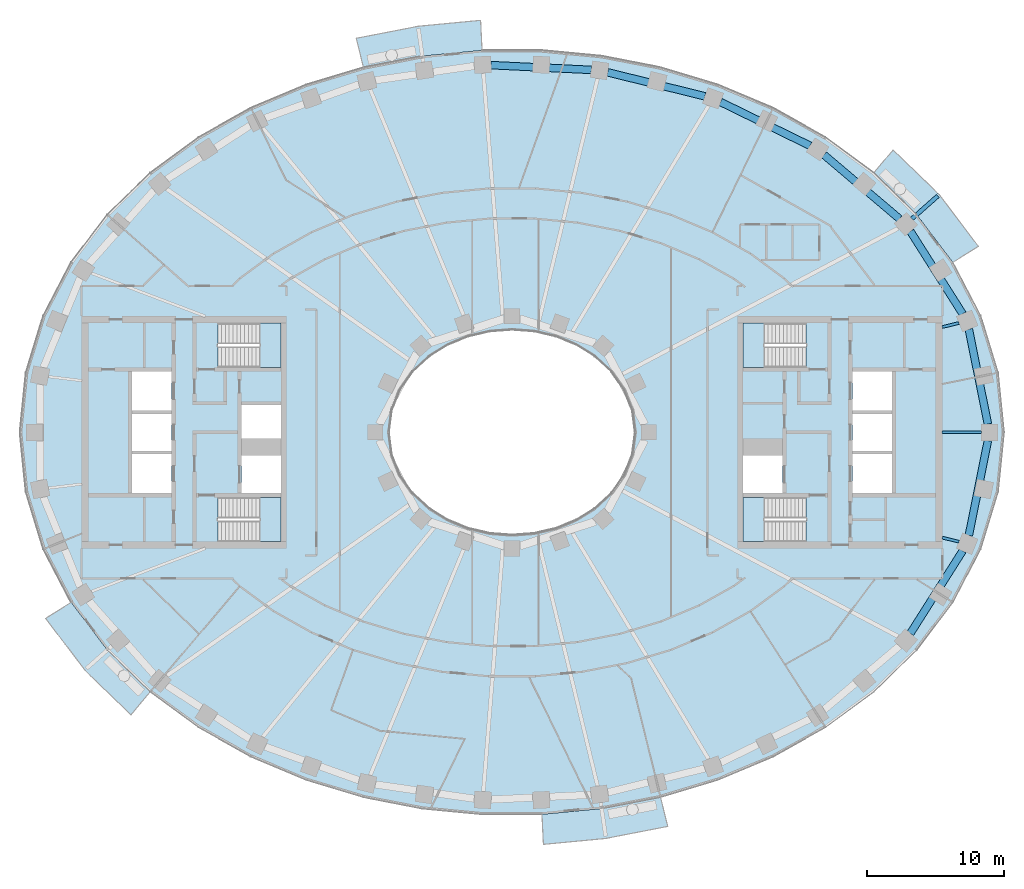
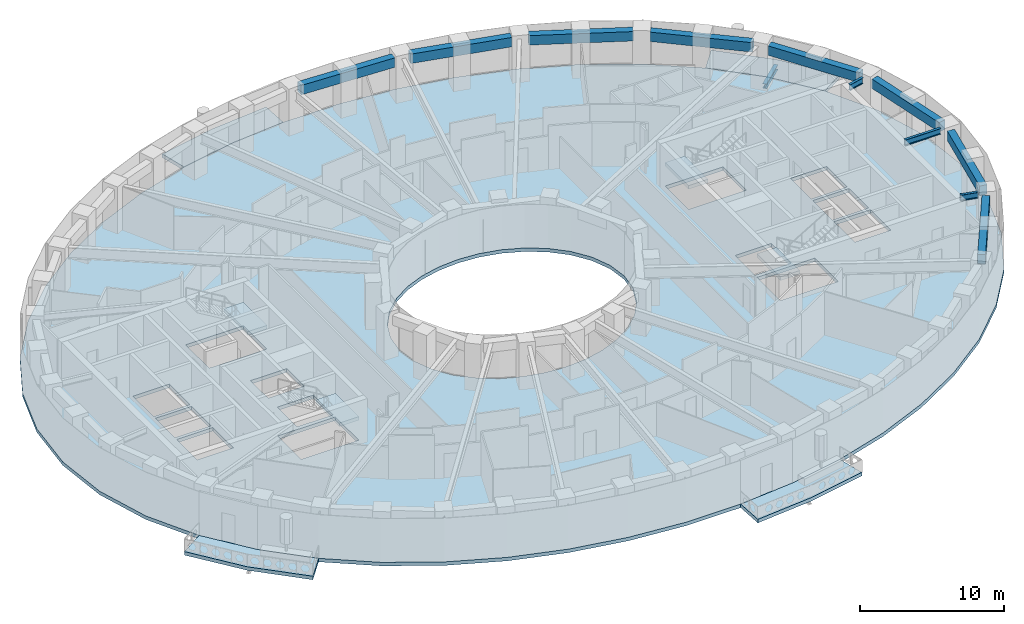
# One storey, part 2 of 17: 12 beams, 9 slabs, 4 elements without a shape of their own.
"""IFC4 building model written with IfcOpenShell, lengths in metres."""

from ifc_helpers import new_model, si_unit, direction, frame, origin, origin_2d, place, context, subcontext, project, spatial, polyline, rectangle, i_section, outline, extrude, material, layer, layer_set, material_profile, profile_set, type_object, element, aggregate, save


model = new_model("IFC4")

# Units and contexts
model_context = context("Model", 3, precision=1e-05, world=origin(), true_north=direction((0.0, 1.0)))
body_context = subcontext(model_context, "Body", "Model", "MODEL_VIEW")
ifc_project = project(units=[si_unit("LENGTHUNIT", "METRE"), si_unit("AREAUNIT", "SQUARE_METRE"), si_unit("VOLUMEUNIT", "CUBIC_METRE"), si_unit("PLANEANGLEUNIT", "RADIAN"), si_unit("MASSUNIT", "GRAM", prefix="KILO")], contexts=[model_context])

# Site, building, storey
site_placement = place(None, origin())
site = spatial("IfcSite", under=ifc_project, at=site_placement, CompositionType="ELEMENT")
building_placement = place(site_placement, origin())
building = spatial("IfcBuilding", under=site, at=building_placement, Name="Noorbagh Ring Tower", CompositionType="ELEMENT")
storey_placement = place(building_placement, frame((0.0, 0.0, 120.0)))
storey = spatial("IfcBuildingStorey", under=building, at=storey_placement, Name="L27", CompositionType="ELEMENT", Elevation=120.0)

# Beams
ifc_material_1 = material(Name="Steel S355", Category="steel")
ifc_material_profile_1 = material_profile(ifc_material_1, i_section(OverallWidth=0.300048828125, OverallDepth=0.39990234375, WebThickness=0.013427734375, FlangeThickness=0.02392578125, FilletRadius=0.027099609375, at=origin_2d()), Name="HEB400")
ifc_profile_set_1 = profile_set([ifc_material_profile_1], Name="Steel S355")
beam_type_1 = type_object("IfcBeamType", Name="STR-BALCONY-BRACKET-HEB400", PredefinedType="BEAM", material=ifc_profile_set_1)
beam_1_placement = place(storey_placement, frame((29.27197265625, 15.63134765625, -0.5), z_axis=(0.749063543205, 0.662498157161, 0.0), x_axis=(-0.662498157161, 0.749063543205, 0.0)))
element("IfcBeam", 1, at=beam_1_placement, inside=storey, type_object=beam_type_1, Name="Balcony bracket beam BN01", PredefinedType="BEAM", context=body_context, shape_type="SweptSolid", body=[
    extrude(i_section(OverallWidth=0.300048828125, OverallDepth=0.39990234375, WebThickness=0.013427734375, FlangeThickness=0.02392578125, FilletRadius=0.027099609375, at=origin_2d()), origin(), (0.0, 0.0, 1.0), 2.50439453125),
])
ifc_material_2 = material(Name="Steel S355", Category="steel")
ifc_material_profile_2 = material_profile(ifc_material_2, i_section(OverallWidth=0.199951171875, OverallDepth=0.5, WebThickness=0.01025390625, FlangeThickness=0.01611328125, FilletRadius=0.02099609375, at=origin_2d()), Name="IPE500")
ifc_profile_set_2 = profile_set([ifc_material_profile_2], Name="Steel S355")
beam_type_2 = type_object("IfcBeamType", Name="STR-RAD-IPE500", PredefinedType="BEAM", material=ifc_profile_set_2)
beam_2_placement = place(storey_placement, frame((34.339599609375, 0.0, 3.449951171875), z_axis=(-1.0, 0.0, 0.0), x_axis=(0.0, -1.0, 0.0)))
element("IfcBeam", 2, at=beam_2_placement, inside=storey, type_object=beam_type_2, Name="L27/bm/RD01", PredefinedType="BEAM", context=body_context, shape_type="SweptSolid", body=[
    extrude(i_section(OverallWidth=0.199951171875, OverallDepth=0.5, WebThickness=0.01025390625, FlangeThickness=0.01611328125, FilletRadius=0.02099609375, at=origin_2d()), origin(), (0.0, 0.0, 1.0), 2.859619140625),
])
for number, where, z_axis, x_axis, name in (
    (3, (32.710693359375, 8.00390625, 3.449951171875), (-0.971343647719, -0.237679443865, 0.0), (0.237679443865, -0.971343647719, 0.0), "L27/bm/RD03"),
    (4, (32.710693359375, -8.00390625, 3.449951171875), (-0.971343647719, 0.237679443865, 0.0), (-0.237679443865, -0.971343647719, 0.0), "L27/bm/RD45"),
):
    element("IfcBeam", number, at=place(storey_placement, frame(where, z_axis=z_axis, x_axis=x_axis)), inside=storey, type_object=beam_type_2, Name=name, PredefinedType="BEAM", context=body_context, shape_type="SweptSolid", body=[
        extrude(i_section(OverallWidth=0.199951171875, OverallDepth=0.5, WebThickness=0.01025390625, FlangeThickness=0.01611328125, FilletRadius=0.02099609375, at=origin_2d()), origin(), (0.0, 0.0, 1.0), 1.2666015625),
    ])
ifc_material_3 = material(Name="Concrete C40/50", Category="concrete")
ifc_material_profile_3 = material_profile(ifc_material_3, rectangle(XDim=0.550048828125, YDim=0.800048828125, at=origin_2d()), Name="RC550x800")
ifc_profile_set_3 = profile_set([ifc_material_profile_3], Name="Concrete C40/50")
beam_type_3 = type_object("IfcBeamType", Name="STR-SB-RC550x800-C40-50", PredefinedType="BEAM", material=ifc_profile_set_3)
beam_3_placement = place(storey_placement, frame((34.822998046875, 0.60546875, 3.300048828125), z_axis=(-0.197250205232, 0.98035317949, 0.0), x_axis=(-0.98035317949, -0.197250205232, 0.0)))
element("IfcBeam", 5, at=beam_3_placement, inside=storey, type_object=beam_type_3, Name="L27/bm/SP01", PredefinedType="BEAM", context=body_context, shape_type="SweptSolid", body=[
    extrude(rectangle(XDim=0.550048828125, YDim=0.800048828125, at=origin_2d()), origin(), (0.0, 0.0, 1.0), 7.07861328125),
])
beam_4_placement = place(storey_placement, frame((32.97607421875, 8.668701171875, 3.300048828125), z_axis=(-0.535178715716, 0.844738860385, 0.0), x_axis=(-0.844738860385, -0.535178715716, 0.0)))
element("IfcBeam", 6, at=beam_4_placement, inside=storey, type_object=beam_type_3, Name="L27/bm/SP03", PredefinedType="BEAM", context=body_context, shape_type="SweptSolid", body=[
    extrude(rectangle(XDim=0.550048828125, YDim=0.800048828125, at=origin_2d()), origin(), (0.0, 0.0, 1.0), 7.15478515625),
])
beam_5_placement = place(storey_placement, frame((28.352294921875, 15.625732421875, 3.300048828125), z_axis=(-0.76304723731, 0.646342721498, 0.0), x_axis=(-0.646342721498, -0.76304723731, 0.0)))
element("IfcBeam", 7, at=beam_5_placement, inside=storey, type_object=beam_type_3, Name="L27/bm/SP05", PredefinedType="BEAM", context=body_context, shape_type="SweptSolid", body=[
    extrude(rectangle(XDim=0.550048828125, YDim=0.800048828125, at=origin_2d()), origin(), (0.0, 0.0, 1.0), 7.240234375),
])
beam_6_placement = place(storey_placement, frame((21.814453125, 20.967529296875, 3.300048828125), z_axis=(-0.898391398986, 0.439195735667, 0.0), x_axis=(-0.439195735667, -0.898391398986, 0.0)))
element("IfcBeam", 8, at=beam_6_placement, inside=storey, type_object=beam_type_3, Name="L27/bm/SP07", PredefinedType="BEAM", context=body_context, shape_type="SweptSolid", body=[
    extrude(rectangle(XDim=0.550048828125, YDim=0.800048828125, at=origin_2d()), origin(), (0.0, 0.0, 1.0), 7.2998046875),
])
beam_7_placement = place(storey_placement, frame((14.118896484375, 24.586669921875, 3.300048828125), z_axis=(-0.970829859213, 0.239769440213, 0.0), x_axis=(-0.239769440213, -0.970829859213, 0.0)))
element("IfcBeam", 9, at=beam_7_placement, inside=storey, type_object=beam_type_3, Name="L27/bm/SP09", PredefinedType="BEAM", context=body_context, shape_type="SweptSolid", body=[
    extrude(rectangle(XDim=0.550048828125, YDim=0.800048828125, at=origin_2d()), origin(), (0.0, 0.0, 1.0), 7.333251953125),
])
beam_8_placement = place(storey_placement, frame((5.802001953125, 26.519775390625, 3.300048828125), z_axis=(-0.998868588799, 0.047555675902, 0.0), x_axis=(-0.047555675902, -0.998868588799, 0.0)))
element("IfcBeam", 10, at=beam_8_placement, inside=storey, type_object=beam_type_3, Name="L27/bm/SP11", PredefinedType="BEAM", context=body_context, shape_type="SweptSolid", body=[
    extrude(rectangle(XDim=0.550048828125, YDim=0.800048828125, at=origin_2d()), origin(), (0.0, 0.0, 1.0), 7.346435546875),
])
beam_9_placement = place(storey_placement, frame((29.14697265625, -14.712646484375, 3.300048828125), z_axis=(0.535178715716, 0.844738860385, 0.0), x_axis=(-0.844738860385, 0.535178715716, 0.0)))
element("IfcBeam", 11, at=beam_9_placement, inside=storey, type_object=beam_type_3, Name="L27/bm/SP43", PredefinedType="BEAM", context=body_context, shape_type="SweptSolid", body=[
    extrude(rectangle(XDim=0.550048828125, YDim=0.800048828125, at=origin_2d()), origin(), (0.0, 0.0, 1.0), 7.15478515625),
])
beam_10_placement = place(storey_placement, frame((33.4267578125, -7.544921875, 3.300048828125), z_axis=(0.197250205232, 0.98035317949, 0.0), x_axis=(-0.98035317949, 0.197250205232, 0.0)))
element("IfcBeam", 12, at=beam_10_placement, inside=storey, type_object=beam_type_3, Name="L27/bm/SP45", PredefinedType="BEAM", context=body_context, shape_type="SweptSolid", body=[
    extrude(rectangle(XDim=0.550048828125, YDim=0.800048828125, at=origin_2d()), origin(), (0.0, 0.0, 1.0), 7.07861328125),
])

# Stair, slab
ifc_material_4 = material(Name="Concrete C40/50", Category="concrete")
stair_type = type_object("IfcStairType", Name="CORE-STAIR", PredefinedType="HALF_TURN_STAIR", material=ifc_material_4)
stair_1_placement = place(storey_placement, origin())
stair_1 = element("IfcStair", 13, at=stair_1_placement, inside=storey, type_object=stair_type, Name="L27 Exit stair ST1", PredefinedType="HALF_TURN_STAIR")
ifc_material_5 = material(Name="Concrete C40/50", Category="concrete")
ifc_layer_1 = layer(ifc_material_5, 0.300048828125)
ifc_layer_set_1 = layer_set([ifc_layer_1], Name="Concrete C40/50")
slab_type_1 = type_object("IfcSlabType", Name="CORE-STAIR-LANDING", PredefinedType="LANDING", material=ifc_layer_set_1)
slab_1_placement = place(storey_placement, frame((0.0, 0.0, 1.699951171875)))
slab_1 = element("IfcSlab", 14, at=slab_1_placement, type_object=slab_type_1, Name="ST1 landing 1", PredefinedType="LANDING", context=body_context, shape_type="SweptSolid", body=[
    extrude(outline(polyline([(-18.449951171875, 4.75), (-16.89990234375, 4.75), (-16.89990234375, 8.0), (-18.449951171875, 8.0), (-18.449951171875, 4.75)])), origin(), (0.0, 0.0, 1.0), 0.300048828125),
])
aggregate(stair_1, [slab_1])

stair_2_placement = place(storey_placement, origin())
stair_2 = element("IfcStair", 15, at=stair_2_placement, inside=storey, type_object=stair_type, Name="L27 Exit stair ST2", PredefinedType="HALF_TURN_STAIR")
slab_2_placement = place(storey_placement, frame((0.0, 0.0, 1.699951171875)))
slab_2 = element("IfcSlab", 16, at=slab_2_placement, type_object=slab_type_1, Name="ST2 landing 1", PredefinedType="LANDING", context=body_context, shape_type="SweptSolid", body=[
    extrude(outline(polyline([(-18.449951171875, -8.0), (-16.89990234375, -8.0), (-16.89990234375, -4.75), (-18.449951171875, -4.75), (-18.449951171875, -8.0)])), origin(), (0.0, 0.0, 1.0), 0.300048828125),
])
aggregate(stair_2, [slab_2])

stair_3_placement = place(storey_placement, origin())
stair_3 = element("IfcStair", 17, at=stair_3_placement, inside=storey, type_object=stair_type, Name="L27 Exit stair ST3", PredefinedType="HALF_TURN_STAIR")
slab_3_placement = place(storey_placement, frame((0.0, 0.0, 1.699951171875)))
slab_3 = element("IfcSlab", 18, at=slab_3_placement, type_object=slab_type_1, Name="ST3 landing 1", PredefinedType="LANDING", context=body_context, shape_type="SweptSolid", body=[
    extrude(outline(polyline([(18.449951171875, 8.0), (16.89990234375, 8.0), (16.89990234375, 4.75), (18.449951171875, 4.75), (18.449951171875, 8.0)])), origin(), (0.0, 0.0, 1.0), 0.300048828125),
])
aggregate(stair_3, [slab_3])

stair_4_placement = place(storey_placement, origin())
stair_4 = element("IfcStair", 19, at=stair_4_placement, inside=storey, type_object=stair_type, Name="L27 Exit stair ST4", PredefinedType="HALF_TURN_STAIR")
slab_4_placement = place(storey_placement, frame((0.0, 0.0, 1.699951171875)))
slab_4 = element("IfcSlab", 20, at=slab_4_placement, type_object=slab_type_1, Name="ST4 landing 1", PredefinedType="LANDING", context=body_context, shape_type="SweptSolid", body=[
    extrude(outline(polyline([(18.449951171875, -4.75), (16.89990234375, -4.75), (16.89990234375, -8.0), (18.449951171875, -8.0), (18.449951171875, -4.75)])), origin(), (0.0, 0.0, 1.0), 0.300048828125),
])
aggregate(stair_4, [slab_4])

# Slabs
ifc_material_6 = material(Name="Concrete C40/50", Category="concrete")
ifc_layer_2 = layer(ifc_material_6, 0.300048828125)
ifc_layer_set_2 = layer_set([ifc_layer_2], Name="Concrete C40/50")
slab_type_2 = type_object("IfcSlabType", Name="ENV-BALCONY DECK 300", PredefinedType="FLOOR", material=ifc_layer_set_2)
slab_5_placement = place(storey_placement, frame((0.0, 0.0, -0.300048828125)))
element("IfcSlab", 21, at=slab_5_placement, inside=storey, type_object=slab_type_2, Name="Tree balcony deck BN01", PredefinedType="FLOOR", context=body_context, shape_type="SweptSolid", body=[
    extrude(outline(polyline([(34.120361328125, 13.615966796875), (31.26025390625, 17.389892578125), (27.888671875, 20.665771484375), (26.463134765625, 18.983154296875), (29.607666015625, 15.92822265625), (32.255126953125, 12.434814453125), (34.120361328125, 13.615966796875)])), origin(), (0.0, 0.0, 1.0), 0.300048828125),
])
slab_6_placement = place(storey_placement, frame((0.0, 0.0, -0.300048828125)))
element("IfcSlab", 22, at=slab_6_placement, inside=storey, type_object=slab_type_2, Name="Tree balcony deck BN04", PredefinedType="FLOOR", context=body_context, shape_type="SweptSolid", body=[
    extrude(outline(polyline([(-2.2978515625, 30.14794921875), (-6.874755859375, 29.711181640625), (-11.3935546875, 28.832763671875), (-10.865234375, 26.6943359375), (-6.5595703125, 27.53125), (-2.193115234375, 27.947998046875), (-2.2978515625, 30.14794921875)])), origin(), (0.0, 0.0, 1.0), 0.300048828125),
])
slab_7_placement = place(storey_placement, frame((0.0, 0.0, -0.300048828125)))
element("IfcSlab", 23, at=slab_7_placement, inside=storey, type_object=slab_type_2, Name="Tree balcony deck BS01", PredefinedType="FLOOR", context=body_context, shape_type="SweptSolid", body=[
    extrude(outline(polyline([(-34.120361328125, -13.615966796875), (-31.26025390625, -17.389892578125), (-27.888671875, -20.665771484375), (-26.463134765625, -18.983154296875), (-29.607666015625, -15.92822265625), (-32.255126953125, -12.434814453125), (-34.120361328125, -13.615966796875)])), origin(), (0.0, 0.0, 1.0), 0.300048828125),
])
slab_8_placement = place(storey_placement, frame((0.0, 0.0, -0.300048828125)))
element("IfcSlab", 24, at=slab_8_placement, inside=storey, type_object=slab_type_2, Name="Tree balcony deck BS04", PredefinedType="FLOOR", context=body_context, shape_type="SweptSolid", body=[
    extrude(outline(polyline([(2.2978515625, -30.14794921875), (6.874755859375, -29.711181640625), (11.3935546875, -28.832763671875), (10.865234375, -26.6943359375), (6.5595703125, -27.53125), (2.193115234375, -27.947998046875), (2.2978515625, -30.14794921875)])), origin(), (0.0, 0.0, 1.0), 0.300048828125),
])
ifc_material_7 = material(Name="Concrete C40/50", Category="concrete")
ifc_layer_3 = layer(ifc_material_7, 0.300048828125)
ifc_layer_set_3 = layer_set([ifc_layer_3], Name="Concrete C40/50")
slab_type_3 = type_object("IfcSlabType", Name="STR-FLOOR-DECK-300", PredefinedType="FLOOR", material=ifc_layer_set_3)
slab_9_placement = place(storey_placement, frame((0.0, 0.0, -0.300048828125)))
element("IfcSlab", 25, at=slab_9_placement, inside=storey, type_object=slab_type_3, Name="L27/slab/1", PredefinedType="FLOOR", context=body_context, shape_type="SweptSolid", body=[
    extrude(outline(polyline([(36.0, 0.0), (35.56103515625, 4.358642578125), (34.281005859375, 8.548828125), (32.255126953125, 12.434814453125), (29.607666015625, 15.92822265625), (26.463134765625, 18.983154296875), (22.9326171875, 21.583740234375), (19.108154296875, 23.730224609375), (15.0654296875, 25.430419921875), (10.865234375, 26.6943359375), (6.5595703125, 27.53125), (2.193115234375, 27.947998046875), (-2.193115234375, 27.947998046875), (-6.5595703125, 27.53125), (-10.865234375, 26.6943359375), (-15.0654296875, 25.430419921875), (-19.108154296875, 23.730224609375), (-22.9326171875, 21.583740234375), (-26.463134765625, 18.983154296875), (-29.607666015625, 15.92822265625), (-32.255126953125, 12.434814453125), (-34.281005859375, 8.548828125), (-35.56103515625, 4.358642578125), (-36.0, 0.0), (-35.56103515625, -4.358642578125), (-34.281005859375, -8.548828125), (-32.255126953125, -12.434814453125), (-29.607666015625, -15.92822265625), (-26.463134765625, -18.983154296875), (-22.9326171875, -21.583740234375), (-19.108154296875, -23.730224609375), (-15.0654296875, -25.430419921875), (-10.865234375, -26.6943359375), (-6.5595703125, -27.53125), (-2.193115234375, -27.947998046875), (2.193115234375, -27.947998046875), (6.5595703125, -27.53125), (10.865234375, -26.6943359375), (15.0654296875, -25.430419921875), (19.108154296875, -23.730224609375), (22.9326171875, -21.583740234375), (26.463134765625, -18.983154296875), (29.607666015625, -15.92822265625), (32.255126953125, -12.434814453125), (34.281005859375, -8.548828125), (35.56103515625, -4.358642578125), (36.0, 0.0)]), holes=[polyline([(24.89990234375, -1.60009765625), (27.800048828125, -1.60009765625), (27.800048828125, -4.449951171875), (24.89990234375, -4.449951171875), (24.89990234375, -1.60009765625)]), polyline([(24.89990234375, 1.35009765625), (27.800048828125, 1.35009765625), (27.800048828125, -1.35009765625), (24.89990234375, -1.35009765625), (24.89990234375, 1.35009765625)]), polyline([(24.89990234375, 4.449951171875), (27.800048828125, 4.449951171875), (27.800048828125, 1.60009765625), (24.89990234375, 1.60009765625), (24.89990234375, 4.449951171875)]), polyline([(21.529541015625, -4.75), (21.529541015625, -8.0), (16.89990234375, -8.0), (16.89990234375, -4.75), (21.529541015625, -4.75)]), polyline([(21.529541015625, 4.75), (16.89990234375, 4.75), (16.89990234375, 8.0), (21.529541015625, 8.0), (21.529541015625, 4.75)]), polyline([(16.89990234375, -1.699951171875), (19.800048828125, -1.699951171875), (19.800048828125, -4.449951171875), (16.89990234375, -4.449951171875), (16.89990234375, -1.699951171875)]), polyline([(4.697509765625, -6.3974609375), (3.196533203125, -7.010986328125), (1.6171875, -7.3779296875), (0.0, -7.5), (-1.6171875, -7.3779296875), (-3.196533203125, -7.010986328125), (-4.697509765625, -6.3974609375), (-6.071044921875, -5.53662109375), (-7.2587890625, -4.43408203125), (-8.1904296875, -3.10888671875), (-8.79150390625, -1.605224609375), (-9.0, 0.0), (-8.79150390625, 1.605224609375), (-8.1904296875, 3.10888671875), (-7.2587890625, 4.43408203125), (-6.071044921875, 5.53662109375), (-4.697509765625, 6.3974609375), (-3.196533203125, 7.010986328125), (-1.6171875, 7.3779296875), (0.0, 7.5), (1.6171875, 7.3779296875), (3.196533203125, 7.010986328125), (4.697509765625, 6.3974609375), (6.071044921875, 5.53662109375), (7.2587890625, 4.43408203125), (8.1904296875, 3.10888671875), (8.79150390625, 1.605224609375), (9.0, 0.0), (8.79150390625, -1.605224609375), (8.1904296875, -3.10888671875), (7.2587890625, -4.43408203125), (6.071044921875, -5.53662109375), (4.697509765625, -6.3974609375)]), polyline([(-21.529541015625, -8.0), (-21.529541015625, -4.75), (-16.89990234375, -4.75), (-16.89990234375, -8.0), (-21.529541015625, -8.0)]), polyline([(-21.529541015625, 8.0), (-16.89990234375, 8.0), (-16.89990234375, 4.75), (-21.529541015625, 4.75), (-21.529541015625, 8.0)]), polyline([(-16.89990234375, -4.449951171875), (-19.800048828125, -4.449951171875), (-19.800048828125, -1.699951171875), (-16.89990234375, -1.699951171875), (-16.89990234375, -4.449951171875)]), polyline([(-16.89990234375, -0.449951171875), (-19.800048828125, -0.449951171875), (-19.800048828125, 2.0), (-16.89990234375, 2.0), (-16.89990234375, -0.449951171875)]), polyline([(-24.89990234375, -4.449951171875), (-27.800048828125, -4.449951171875), (-27.800048828125, -1.60009765625), (-24.89990234375, -1.60009765625), (-24.89990234375, -4.449951171875)]), polyline([(-24.89990234375, -1.35009765625), (-27.800048828125, -1.35009765625), (-27.800048828125, 1.35009765625), (-24.89990234375, 1.35009765625), (-24.89990234375, -1.35009765625)]), polyline([(-24.89990234375, 1.60009765625), (-27.800048828125, 1.60009765625), (-27.800048828125, 4.449951171875), (-24.89990234375, 4.449951171875), (-24.89990234375, 1.60009765625)])]), origin(), (0.0, 0.0, 1.0), 0.300048828125),
])

save(model, "model.ifc")
